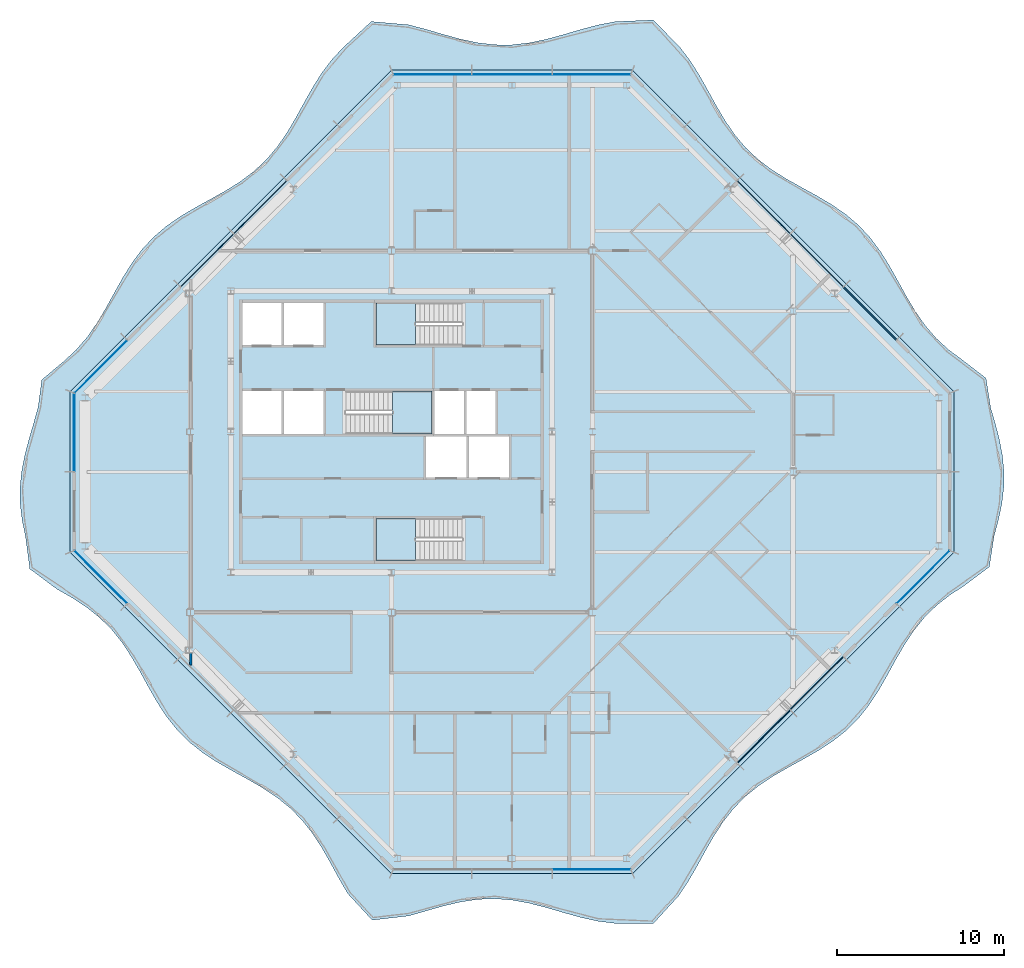
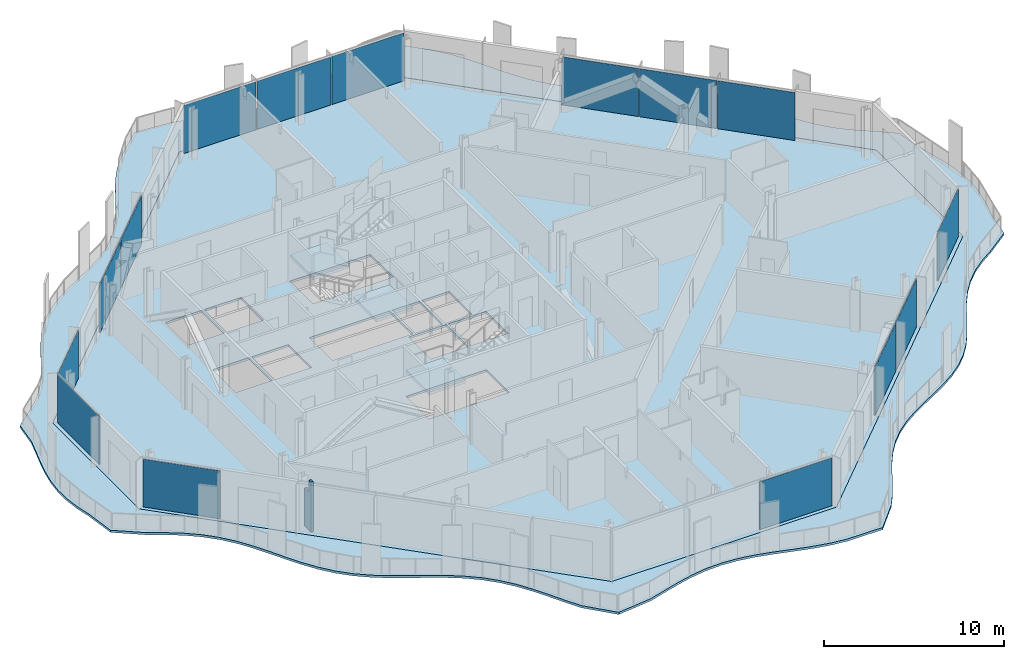
# One storey, part 6 of 17: 15 plates, 5 slabs, 1 wall, 10 elements without a shape of their own.
"""IFC4 building model written with IfcOpenShell, lengths in metres."""

from ifc_helpers import new_model, si_unit, direction, frame, origin, origin_2d, place, context, subcontext, project, spatial, polyline, rectangle, outline, extrude, material, layer, layer_set, type_object, element, aggregate, save


model = new_model("IFC4")

# Units and contexts
model_context = context("Model", 3, precision=1e-05, world=origin(), true_north=direction((0.0, 1.0)))
body_context = subcontext(model_context, "Body", "Model", "MODEL_VIEW")
ifc_project = project(units=[si_unit("LENGTHUNIT", "METRE"), si_unit("AREAUNIT", "SQUARE_METRE"), si_unit("VOLUMEUNIT", "CUBIC_METRE"), si_unit("PLANEANGLEUNIT", "RADIAN"), si_unit("MASSUNIT", "GRAM", prefix="KILO")], contexts=[model_context])

# Site, building, storey
site_placement = place(None, origin())
site = spatial("IfcSite", under=ifc_project, at=site_placement, CompositionType="ELEMENT")
building_placement = place(site_placement, origin())
building = spatial("IfcBuilding", under=site, at=building_placement, Name="Cairn Pilgrim Tower", CompositionType="ELEMENT")
storey_placement = place(building_placement, frame((0.0, 0.0, 292.199951171875)))
storey = spatial("IfcBuildingStorey", under=building, at=storey_placement, Name="L75", CompositionType="ELEMENT", Elevation=292.199951171875)

# Slabs
ifc_material_1 = material(Name="Concrete C35/45", Category="concrete")
ifc_layer_1 = layer(ifc_material_1, 0.14990234375)
ifc_layer_set_1 = layer_set([ifc_layer_1], Name="BALCONY SLAB 150 CONCRETE C35/45")
slab_type_1 = type_object("IfcSlabType", Name="BALCONY SLAB 150 CONCRETE C35/45", PredefinedType="FLOOR", material=ifc_layer_set_1)
slab_1_placement = place(storey_placement, frame((0.0, 0.0, -0.14990234375)))
element("IfcSlab", 1, at=slab_1_placement, inside=storey, type_object=slab_type_1, Name="Balcony slab BS-1", PredefinedType="FLOOR", context=body_context, shape_type="SweptSolid", body=[
    extrude(outline(polyline([(4.585205078125, -25.192626953125), (6.04833984375, -26.7802734375), (8.228515625, -26.529296875), (9.257080078125, -26.233154296875), (10.28564453125, -25.93994140625), (11.314208984375, -25.6962890625), (12.3427734375, -25.5419921875), (13.371337890625, -25.501708984375), (14.39990234375, -25.581787109375), (15.428466796875, -25.769287109375), (16.45703125, -26.0341796875), (17.485595703125, -26.333984375), (18.514404296875, -26.6201171875), (19.54296875, -26.8466796875), (20.571533203125, -26.977294921875), (22.8388671875, -26.99072265625), (24.353759765625, -25.33154296875), (24.923095703125, -24.478515625), (25.444580078125, -23.578125), (25.94775390625, -22.658935546875), (26.46435546875, -21.75341796875), (27.0244140625, -20.89111328125), (27.651123046875, -20.095703125), (28.357666015625, -19.3798828125), (29.14453125, -18.744384765625), (30.0, -18.177734375), (30.902099609375, -17.65771484375), (31.8212890625, -17.154541015625), (32.7255859375, -16.63671875), (33.585205078125, -16.073974609375), (34.377197265625, -15.44384765625), (35.08935546875, -14.733642578125), (35.72119140625, -13.943603515625), (36.285400390625, -13.085205078125), (36.803955078125, -12.181884765625), (37.30712890625, -11.2626953125), (37.826416015625, -10.35986328125), (38.3916015625, -9.502685546875), (39.025146484375, -8.714111328125), (39.739013671875, -8.005615234375), (40.53271484375, -7.377197265625), (41.3935546875, -6.815673828125), (42.9189453125, -5.677734375), (43.199951171875, -3.840087890625), (43.4599609375, -2.8798828125), (43.662353515625, -1.919921875), (43.77880859375, -0.9599609375), (43.792724609375, 0.0), (43.702392578125, 0.9599609375), (43.5205078125, 1.919921875), (43.2724609375, 2.8798828125), (42.9931640625, 3.840087890625), (42.721923828125, 5.59619140625), (41.2822265625, 6.70458984375), (40.466796875, 7.311279296875), (39.728515625, 7.9951171875), (39.07177734375, 8.760498046875), (38.488037109375, 9.59912109375), (37.957763671875, 10.4912109375), (37.453369140625, 11.408935546875), (36.942626953125, 12.3203125), (36.394775390625, 13.19482421875), (35.784912109375, 14.007080078125), (35.09716796875, 14.74169921875), (34.328125, 15.394775390625), (33.48681640625, 15.9755859375), (32.593017578125, 16.504150390625), (31.6748046875, 17.00830078125), (30.764404296875, 17.52001953125), (29.892333984375, 18.070068359375), (29.083251953125, 18.68310546875), (28.352294921875, 19.37451171875), (27.70263671875, 20.147216796875), (27.124755859375, 20.991455078125), (26.59814453125, 21.886962890625), (26.09423828125, 22.805419921875), (25.581298828125, 23.71484375), (25.029052734375, 24.58447265625), (24.41259765625, 25.390380859375), (22.84033203125, 26.99462890625), (20.571533203125, 26.8994140625), (19.54296875, 26.69970703125), (18.514404296875, 26.427490234375), (17.485595703125, 26.126953125), (16.45703125, 25.845947265625), (15.428466796875, 25.630126953125), (14.39990234375, 25.51416015625), (13.371337890625, 25.516357421875), (12.3427734375, 25.636962890625), (11.314208984375, 25.85595703125), (10.28564453125, 26.138427734375), (9.257080078125, 26.43896484375), (8.228515625, 26.708984375), (5.99658203125, 26.9052734375), (4.370849609375, 25.40673828125), (3.67724609375, 24.67822265625), (3.062255859375, 23.87109375), (2.5107421875, 23.00048828125), (1.998291015625, 22.0908203125), (1.494140625, 21.17236328125), (0.967041015625, 20.277587890625), (0.387939453125, 19.434326171875), (-0.26318359375, 18.6630859375), (-0.995361328125, 17.97314453125), (-1.8056640625, 17.361328125), (-2.6787109375, 16.81201171875), (-3.589599609375, 16.30078125), (-4.507568359375, 15.79638671875), (-5.400634765625, 15.267333984375), (-6.240966796875, 14.685302734375), (-7.008544921875, 14.03076171875), (-7.69482421875, 13.294921875), (-8.303466796875, 12.4814453125), (-8.850341796875, 11.60595703125), (-9.36083984375, 10.694091796875), (-9.865478515625, 9.776611328125), (-10.396484375, 8.88525390625), (-10.981201171875, 8.0478515625), (-11.639404296875, 7.283935546875), (-12.37890625, 6.601318359375), (-13.691162109375, 5.50048828125), (-13.914306640625, 3.840087890625), (-14.184814453125, 2.8798828125), (-14.464599609375, 1.919921875), (-14.714111328125, 0.9599609375), (-14.8984375, 0.0), (-14.99169921875, -0.9599609375), (-14.980712890625, -1.919921875), (-14.8671875, -2.8798828125), (-14.6669921875, -3.840087890625), (-14.408203125, -5.797607421875), (-12.78369140625, -7.005859375), (-11.87939453125, -7.523681640625), (-11.01953125, -8.086181640625), (-10.227294921875, -8.716064453125), (-9.514892578125, -9.42578125), (-8.882568359375, -10.2158203125), (-8.318359375, -11.07373046875), (-7.799560546875, -11.977294921875), (-7.29638671875, -12.896484375), (-6.777099609375, -13.79931640625), (-6.212158203125, -14.656494140625), (-5.578857421875, -15.445556640625), (-4.865234375, -16.154296875), (-4.072021484375, -16.782958984375), (-3.21142578125, -17.3447265625), (-2.306640625, -17.862060546875), (-1.387451171875, -18.365234375), (-0.48583984375, -18.885986328125), (0.36865234375, -19.45361328125), (1.154052734375, -20.09033203125), (1.859130859375, -20.8076171875), (2.484619140625, -21.604248046875), (3.043701171875, -22.467529296875), (3.559814453125, -23.37353515625), (4.06298828125, -24.292724609375), (4.585205078125, -25.192626953125)]), holes=[polyline([(21.60009765625, -24.0), (7.199951171875, -24.0), (-12.0, -4.800048828125), (-12.0, 4.800048828125), (7.199951171875, 24.0), (21.60009765625, 24.0), (40.800048828125, 4.800048828125), (40.800048828125, -4.800048828125), (21.60009765625, -24.0)])]), origin(), (0.0, 0.0, 1.0), 0.14990234375),
])
ifc_layer_2 = layer(ifc_material_1, 0.14990234375)
ifc_layer_set_2 = layer_set([ifc_layer_2], Name="COMPOSITE FLOOR SLAB 150")
slab_type_2 = type_object("IfcSlabType", Name="COMPOSITE FLOOR SLAB 150", PredefinedType="FLOOR", material=ifc_layer_set_2)
slab_2_placement = place(storey_placement, frame((0.0, 0.0, -0.14990234375)))
element("IfcSlab", 2, at=slab_2_placement, inside=storey, type_object=slab_type_2, Name="FLOOR SLAB L75", PredefinedType="FLOOR", context=body_context, shape_type="SweptSolid", body=[
    extrude(outline(polyline([(7.199951171875, -24.0), (21.60009765625, -24.0), (40.800048828125, -4.800048828125), (40.800048828125, 4.800048828125), (21.60009765625, 24.0), (7.199951171875, 24.0), (-12.0, 4.800048828125), (-12.0, -4.800048828125), (7.199951171875, -24.0)]), holes=[polyline([(9.27490234375, -0.324951171875), (11.675048828125, -0.324951171875), (11.675048828125, 2.125), (9.27490234375, 2.125), (9.27490234375, -0.324951171875)]), polyline([(11.824951171875, -0.324951171875), (14.22509765625, -0.324951171875), (14.22509765625, 2.125), (11.824951171875, 2.125), (11.824951171875, -0.324951171875)]), polyline([(-1.72509765625, 2.27490234375), (0.625, 2.27490234375), (0.625, 4.824951171875), (-1.72509765625, 4.824951171875), (-1.72509765625, 2.27490234375)]), polyline([(0.77490234375, 2.27490234375), (3.125, 2.27490234375), (3.125, 4.824951171875), (0.77490234375, 4.824951171875), (0.77490234375, 2.27490234375)]), polyline([(-1.72509765625, 7.574951171875), (0.625, 7.574951171875), (0.625, 10.10009765625), (-1.72509765625, 10.10009765625), (-1.72509765625, 7.574951171875)]), polyline([(0.77490234375, 7.574951171875), (3.125, 7.574951171875), (3.125, 10.10009765625), (0.77490234375, 10.10009765625), (0.77490234375, 7.574951171875)]), polyline([(9.77490234375, 2.27490234375), (11.52490234375, 2.27490234375), (11.52490234375, 4.824951171875), (9.77490234375, 4.824951171875), (9.77490234375, 2.27490234375)]), polyline([(11.675048828125, 2.27490234375), (13.425048828125, 2.27490234375), (13.425048828125, 4.824951171875), (11.675048828125, 4.824951171875), (11.675048828125, 2.27490234375)]), polyline([(11.424560546875, -2.77490234375), (6.27490234375, -2.77490234375), (6.27490234375, -5.300048828125), (11.424560546875, -5.300048828125), (11.424560546875, -2.77490234375)]), polyline([(4.4755859375, 2.27490234375), (9.625, 2.27490234375), (9.625, 4.824951171875), (4.4755859375, 4.824951171875), (4.4755859375, 2.27490234375)]), polyline([(11.424560546875, 10.10009765625), (6.27490234375, 10.10009765625), (6.27490234375, 7.574951171875), (11.424560546875, 7.574951171875), (11.424560546875, 10.10009765625)])]), origin(), (0.0, 0.0, 1.0), 0.14990234375),
])

# Curtain wall, plates
ifc_material_2 = material(Name="Aluminium alloy 6063-T6 bronze anodised with Bronze tinted laminated low-E glass 8+16+8.8", Category="aluminium")
curtain_wall_type = type_object("IfcCurtainWallType", Name="CROWN CURTAIN WALL", PredefinedType="NOTDEFINED", material=ifc_material_2)
curtain_wall_1_placement = place(storey_placement, origin())
curtain_wall_1 = element("IfcCurtainWall", 3, at=curtain_wall_1_placement, inside=storey, type_object=curtain_wall_type, Name="Crown Curtain Wall SE", PredefinedType="NOTDEFINED")
ifc_material_3 = material(Name="Bronze anodised aluminium spandrel panel with mineral wool insulation", Category="aluminium")
ifc_layer_3 = layer(ifc_material_3, 0.06005859375)
ifc_layer_set_3 = layer_set([ifc_layer_3], Name="SPANDREL PANEL 4431x3250")
plate_type_1 = type_object("IfcPlateType", Name="SPANDREL PANEL 4431x3250", PredefinedType="CURTAIN_PANEL", material=ifc_layer_set_3)
plate_1_placement = place(storey_placement, frame((29.435546875, -15.81103515625, 0.0), z_axis=(0.0, 0.0, 1.0), x_axis=(0.707106781187, 0.707106781187, 0.0)))
plate_1 = element("IfcPlate", 4, at=plate_1_placement, type_object=plate_type_1, Name="Spandrel Panel SE3-1", PredefinedType="CURTAIN_PANEL", context=body_context, shape_type="SweptSolid", body=[
    extrude(rectangle(XDim=4.430908203125, YDim=0.06005859375, at=origin_2d()), origin(), (0.0, 0.0, 1.0), 3.25),
])
plate_2_placement = place(storey_placement, frame((32.611083984375, -12.635498046875, 0.0), z_axis=(0.0, 0.0, 1.0), x_axis=(0.707106781187, 0.707106781187, 0.0)))
plate_2 = element("IfcPlate", 5, at=plate_2_placement, type_object=plate_type_1, Name="Spandrel Panel SE4-1", PredefinedType="CURTAIN_PANEL", context=body_context, shape_type="SweptSolid", body=[
    extrude(rectangle(XDim=4.430908203125, YDim=0.06005859375, at=origin_2d()), origin(), (0.0, 0.0, 1.0), 3.25),
])

curtain_wall_2_placement = place(storey_placement, origin())
curtain_wall_2 = element("IfcCurtainWall", 6, at=curtain_wall_2_placement, inside=storey, type_object=curtain_wall_type, Name="Crown Curtain Wall NE", PredefinedType="NOTDEFINED")
plate_3_placement = place(storey_placement, frame((35.78662109375, 9.459716796875, 0.0), z_axis=(0.0, 0.0, 1.0), x_axis=(-0.707106781187, 0.707106781187, 0.0)))
plate_3 = element("IfcPlate", 7, at=plate_3_placement, type_object=plate_type_1, Name="Spandrel Panel NE2-1", PredefinedType="CURTAIN_PANEL", context=body_context, shape_type="SweptSolid", body=[
    extrude(rectangle(XDim=4.430908203125, YDim=0.06005859375, at=origin_2d()), origin(), (0.0, 0.0, 1.0), 3.25),
])
plate_4_placement = place(storey_placement, frame((32.611083984375, 12.635498046875, 0.0), z_axis=(0.0, 0.0, 1.0), x_axis=(-0.707106781187, 0.707106781187, 0.0)))
plate_4 = element("IfcPlate", 8, at=plate_4_placement, type_object=plate_type_1, Name="Spandrel Panel NE3-1", PredefinedType="CURTAIN_PANEL", context=body_context, shape_type="SweptSolid", body=[
    extrude(rectangle(XDim=4.430908203125, YDim=0.06005859375, at=origin_2d()), origin(), (0.0, 0.0, 1.0), 3.25),
])
plate_5_placement = place(storey_placement, frame((29.435546875, 15.81103515625, 0.0), z_axis=(0.0, 0.0, 1.0), x_axis=(-0.707106781187, 0.707106781187, 0.0)))
plate_5 = element("IfcPlate", 9, at=plate_5_placement, type_object=plate_type_1, Name="Spandrel Panel NE4-1", PredefinedType="CURTAIN_PANEL", context=body_context, shape_type="SweptSolid", body=[
    extrude(rectangle(XDim=4.430908203125, YDim=0.06005859375, at=origin_2d()), origin(), (0.0, 0.0, 1.0), 3.25),
])
aggregate(curtain_wall_2, [plate_3, plate_4, plate_5])

curtain_wall_3_placement = place(storey_placement, origin())
curtain_wall_3 = element("IfcCurtainWall", 10, at=curtain_wall_3_placement, inside=storey, type_object=curtain_wall_type, Name="Crown Curtain Wall NW", PredefinedType="NOTDEFINED")
plate_6_placement = place(storey_placement, frame((-0.635498046875, 15.81103515625, 0.0), z_axis=(0.0, 0.0, 1.0), x_axis=(-0.707106781187, -0.707106781187, 0.0)))
plate_6 = element("IfcPlate", 11, at=plate_6_placement, type_object=plate_type_1, Name="Spandrel Panel NW3-1", PredefinedType="CURTAIN_PANEL", context=body_context, shape_type="SweptSolid", body=[
    extrude(rectangle(XDim=4.430908203125, YDim=0.06005859375, at=origin_2d()), origin(), (0.0, 0.0, 1.0), 3.25),
])
plate_7_placement = place(storey_placement, frame((-3.81103515625, 12.635498046875, 0.0), z_axis=(0.0, 0.0, 1.0), x_axis=(-0.707106781187, -0.707106781187, 0.0)))
plate_7 = element("IfcPlate", 12, at=plate_7_placement, type_object=plate_type_1, Name="Spandrel Panel NW4-1", PredefinedType="CURTAIN_PANEL", context=body_context, shape_type="SweptSolid", body=[
    extrude(rectangle(XDim=4.430908203125, YDim=0.06005859375, at=origin_2d()), origin(), (0.0, 0.0, 1.0), 3.25),
])

# Stair, slab
ifc_material_4 = material(Name="Concrete C32/40", Category="concrete")
stair_type = type_object("IfcStairType", Name="EXIT STAIR 1200", PredefinedType="HALF_TURN_STAIR", material=ifc_material_4)
stair_1_placement = place(storey_placement, origin())
stair_1 = element("IfcStair", 13, at=stair_1_placement, inside=storey, type_object=stair_type, Name="L75 Exit Stair A", PredefinedType="HALF_TURN_STAIR")
ifc_layer_4 = layer(ifc_material_4, 0.199951171875)
ifc_layer_set_4 = layer_set([ifc_layer_4], Name="STAIR LANDING 200")
slab_type_3 = type_object("IfcSlabType", Name="STAIR LANDING 200", PredefinedType="LANDING", material=ifc_layer_set_4)
slab_3_placement = place(storey_placement, frame((0.0, 0.0, 1.60009765625)))
slab_3 = element("IfcSlab", 14, at=slab_3_placement, type_object=slab_type_3, Name="ST-A landing 1", PredefinedType="LANDING", context=body_context, shape_type="SweptSolid", body=[
    extrude(outline(polyline([(8.625, -2.77490234375), (6.27490234375, -2.77490234375), (6.27490234375, -5.300048828125), (8.625, -5.300048828125), (8.625, -2.77490234375)])), origin(), (0.0, 0.0, 1.0), 0.199951171875),
])
aggregate(stair_1, [slab_3])

stair_2_placement = place(storey_placement, origin())
stair_2 = element("IfcStair", 15, at=stair_2_placement, inside=storey, type_object=stair_type, Name="L75 Exit Stair B", PredefinedType="HALF_TURN_STAIR")
slab_4_placement = place(storey_placement, frame((0.0, 0.0, 1.60009765625)))
slab_4 = element("IfcSlab", 16, at=slab_4_placement, type_object=slab_type_3, Name="ST-B landing 1", PredefinedType="LANDING", context=body_context, shape_type="SweptSolid", body=[
    extrude(outline(polyline([(7.27490234375, 2.27490234375), (9.625, 2.27490234375), (9.625, 4.824951171875), (7.27490234375, 4.824951171875), (7.27490234375, 2.27490234375)])), origin(), (0.0, 0.0, 1.0), 0.199951171875),
])
aggregate(stair_2, [slab_4])

stair_3_placement = place(storey_placement, origin())
stair_3 = element("IfcStair", 17, at=stair_3_placement, inside=storey, type_object=stair_type, Name="L75 Exit Stair C", PredefinedType="HALF_TURN_STAIR")
slab_5_placement = place(storey_placement, frame((0.0, 0.0, 1.60009765625)))
slab_5 = element("IfcSlab", 18, at=slab_5_placement, type_object=slab_type_3, Name="ST-C landing 1", PredefinedType="LANDING", context=body_context, shape_type="SweptSolid", body=[
    extrude(outline(polyline([(8.625, 10.10009765625), (6.27490234375, 10.10009765625), (6.27490234375, 7.574951171875), (8.625, 7.574951171875), (8.625, 10.10009765625)])), origin(), (0.0, 0.0, 1.0), 0.199951171875),
])
aggregate(stair_3, [slab_5])

# Plate
ifc_material_5 = material(Name="Bronze tinted laminated low-E glass 8+16+8.8", Category="glass")
ifc_layer_5 = layer(ifc_material_5, 0.033935546875)
ifc_layer_set_5 = layer_set([ifc_layer_5], Name="VISION GLAZING 4421x3250")
plate_type_2 = type_object("IfcPlateType", Name="VISION GLAZING 4421x3250", PredefinedType="CURTAIN_PANEL", material=ifc_layer_set_5)
plate_8_placement = place(storey_placement, frame((38.958740234375, -6.287841796875, 0.0), z_axis=(0.0, 0.0, 1.0), x_axis=(0.707106781187, 0.707106781187, 0.0)))
plate_8 = element("IfcPlate", 19, at=plate_8_placement, type_object=plate_type_2, Name="Vision Glazing SE6-1", PredefinedType="CURTAIN_PANEL", context=body_context, shape_type="SweptSolid", body=[
    extrude(rectangle(XDim=4.4208984375, YDim=0.033935546875, at=origin_2d()), origin(), (0.0, 0.0, 1.0), 3.25),
])

aggregate(curtain_wall_1, [plate_1, plate_2, plate_8])

plate_9_placement = place(storey_placement, frame((-10.15869140625, 6.287841796875, 0.0), z_axis=(0.0, 0.0, 1.0), x_axis=(-0.707106781187, -0.707106781187, 0.0)))
plate_9 = element("IfcPlate", 20, at=plate_9_placement, type_object=plate_type_2, Name="Vision Glazing NW6-1", PredefinedType="CURTAIN_PANEL", context=body_context, shape_type="SweptSolid", body=[
    extrude(rectangle(XDim=4.4208984375, YDim=0.033935546875, at=origin_2d()), origin(), (0.0, 0.0, 1.0), 3.25),
])

aggregate(curtain_wall_3, [plate_6, plate_7, plate_9])

# Curtain wall, plate
curtain_wall_4_placement = place(storey_placement, origin())
curtain_wall_4 = element("IfcCurtainWall", 21, at=curtain_wall_4_placement, inside=storey, type_object=curtain_wall_type, Name="Crown Curtain Wall SW", PredefinedType="NOTDEFINED")
plate_10_placement = place(storey_placement, frame((-10.15869140625, -6.287841796875, 0.0), z_axis=(0.0, 0.0, 1.0), x_axis=(0.707106781187, -0.707106781187, 0.0)))
plate_10 = element("IfcPlate", 22, at=plate_10_placement, type_object=plate_type_2, Name="Vision Glazing SW1-1", PredefinedType="CURTAIN_PANEL", context=body_context, shape_type="SweptSolid", body=[
    extrude(rectangle(XDim=4.4208984375, YDim=0.033935546875, at=origin_2d()), origin(), (0.0, 0.0, 1.0), 3.25),
])
aggregate(curtain_wall_4, [plate_10])

curtain_wall_5_placement = place(storey_placement, origin())
curtain_wall_5 = element("IfcCurtainWall", 23, at=curtain_wall_5_placement, inside=storey, type_object=curtain_wall_type, Name="Crown Curtain Wall S", PredefinedType="NOTDEFINED")
ifc_layer_6 = layer(ifc_material_5, 0.033935546875)
ifc_layer_set_6 = layer_set([ifc_layer_6], Name="VISION GLAZING 4626x3250")
plate_type_3 = type_object("IfcPlateType", Name="VISION GLAZING 4626x3250", PredefinedType="CURTAIN_PANEL", material=ifc_layer_set_6)
plate_11_placement = place(storey_placement, frame((19.143310546875, -23.75, 0.0), z_axis=(0.0, 0.0, 1.0), x_axis=(1.0, 0.0, 0.0)))
plate_11 = element("IfcPlate", 24, at=plate_11_placement, type_object=plate_type_3, Name="Vision Glazing S3-1", PredefinedType="CURTAIN_PANEL", context=body_context, shape_type="SweptSolid", body=[
    extrude(rectangle(XDim=4.62646484375, YDim=0.033935546875, at=origin_2d()), origin(), (0.0, 0.0, 1.0), 3.25),
])
aggregate(curtain_wall_5, [plate_11])

# Curtain wall, plates
curtain_wall_6_placement = place(storey_placement, origin())
curtain_wall_6 = element("IfcCurtainWall", 25, at=curtain_wall_6_placement, inside=storey, type_object=curtain_wall_type, Name="Crown Curtain Wall N", PredefinedType="NOTDEFINED")
plate_12_placement = place(storey_placement, frame((19.143310546875, 23.75, 0.0), z_axis=(0.0, 0.0, 1.0), x_axis=(-1.0, 0.0, 0.0)))
plate_12 = element("IfcPlate", 26, at=plate_12_placement, type_object=plate_type_3, Name="Vision Glazing N1-1", PredefinedType="CURTAIN_PANEL", context=body_context, shape_type="SweptSolid", body=[
    extrude(rectangle(XDim=4.62646484375, YDim=0.033935546875, at=origin_2d()), origin(), (0.0, 0.0, 1.0), 3.25),
])
plate_13_placement = place(storey_placement, frame((9.65673828125, 23.75, 0.0), z_axis=(0.0, 0.0, 1.0), x_axis=(-1.0, 0.0, 0.0)))
plate_13 = element("IfcPlate", 27, at=plate_13_placement, type_object=plate_type_3, Name="Vision Glazing N3-1", PredefinedType="CURTAIN_PANEL", context=body_context, shape_type="SweptSolid", body=[
    extrude(rectangle(XDim=4.62646484375, YDim=0.033935546875, at=origin_2d()), origin(), (0.0, 0.0, 1.0), 3.25),
])

# Curtain wall, plate
curtain_wall_7_placement = place(storey_placement, origin())
curtain_wall_7 = element("IfcCurtainWall", 28, at=curtain_wall_7_placement, inside=storey, type_object=curtain_wall_type, Name="Crown Curtain Wall W", PredefinedType="NOTDEFINED")
plate_14_placement = place(storey_placement, frame((-11.75, 2.34326171875, 0.0), z_axis=(0.0, 0.0, 1.0), x_axis=(0.0, -1.0, 0.0)))
plate_14 = element("IfcPlate", 29, at=plate_14_placement, type_object=plate_type_3, Name="Vision Glazing W1-1", PredefinedType="CURTAIN_PANEL", context=body_context, shape_type="SweptSolid", body=[
    extrude(rectangle(XDim=4.62646484375, YDim=0.033935546875, at=origin_2d()), origin(), (0.0, 0.0, 1.0), 3.25),
])
aggregate(curtain_wall_7, [plate_14])

# Plate
ifc_layer_7 = layer(ifc_material_5, 0.033935546875)
ifc_layer_set_7 = layer_set([ifc_layer_7], Name="VISION GLAZING 4740x3250")
plate_type_4 = type_object("IfcPlateType", Name="VISION GLAZING 4740x3250", PredefinedType="CURTAIN_PANEL", material=ifc_layer_set_7)
plate_15_placement = place(storey_placement, frame((14.39990234375, 23.75, 0.0), z_axis=(0.0, 0.0, 1.0), x_axis=(-1.0, 0.0, 0.0)))
plate_15 = element("IfcPlate", 30, at=plate_15_placement, type_object=plate_type_4, Name="Vision Glazing N2-1", PredefinedType="CURTAIN_PANEL", context=body_context, shape_type="SweptSolid", body=[
    extrude(rectangle(XDim=4.739990234375, YDim=0.033935546875, at=origin_2d()), origin(), (0.0, 0.0, 1.0), 3.25),
])

aggregate(curtain_wall_6, [plate_12, plate_15, plate_13])

# Wall
ifc_material_6 = material(Name="Gypsum partition")
ifc_layer_8 = layer(ifc_material_6, 0.14990234375)
ifc_layer_set_8 = layer_set([ifc_layer_8], Name="PARTITION 150 DRYWALL EI 60")
wall_type = type_object("IfcWallType", Name="PARTITION 150 DRYWALL EI 60", PredefinedType="PARTITIONING", material=ifc_layer_set_8)
wall_placement = place(storey_placement, frame((-4.800048828125, -11.526123046875, 0.0), z_axis=(0.0, 0.0, 1.0), x_axis=(0.0, 1.0, 0.0)))
element("IfcWall", 31, at=wall_placement, inside=storey, type_object=wall_type, Name="PARTITION W023", PredefinedType="PARTITIONING", context=body_context, shape_type="SweptSolid", body=[
    extrude(outline(polyline([(0.0, 0.0), (0.690673828125, 0.0), (0.690673828125, 2.580078125), (0.22900390625, 2.580078125), (0.226806640625, 3.400146484375), (0.0, 3.400146484375), (0.0, 0.0)])), frame((0.0, 0.074951171875, 0.0), z_axis=(0.0, -1.0, 0.0), x_axis=(1.0, 0.0, 0.0)), (0.0, 0.0, 1.0), 0.14990234375),
])

save(model, "model.ifc")
